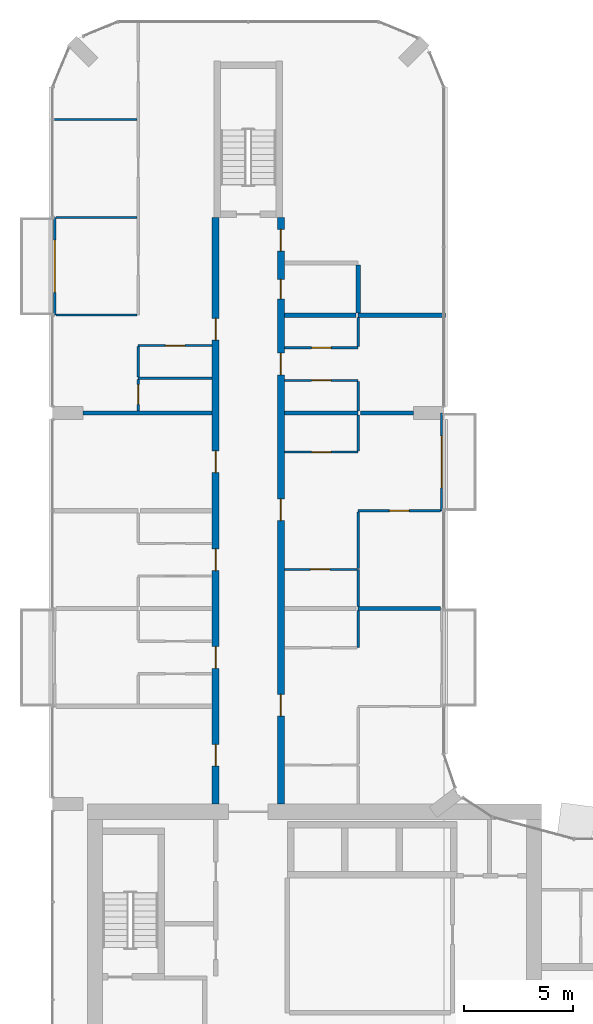
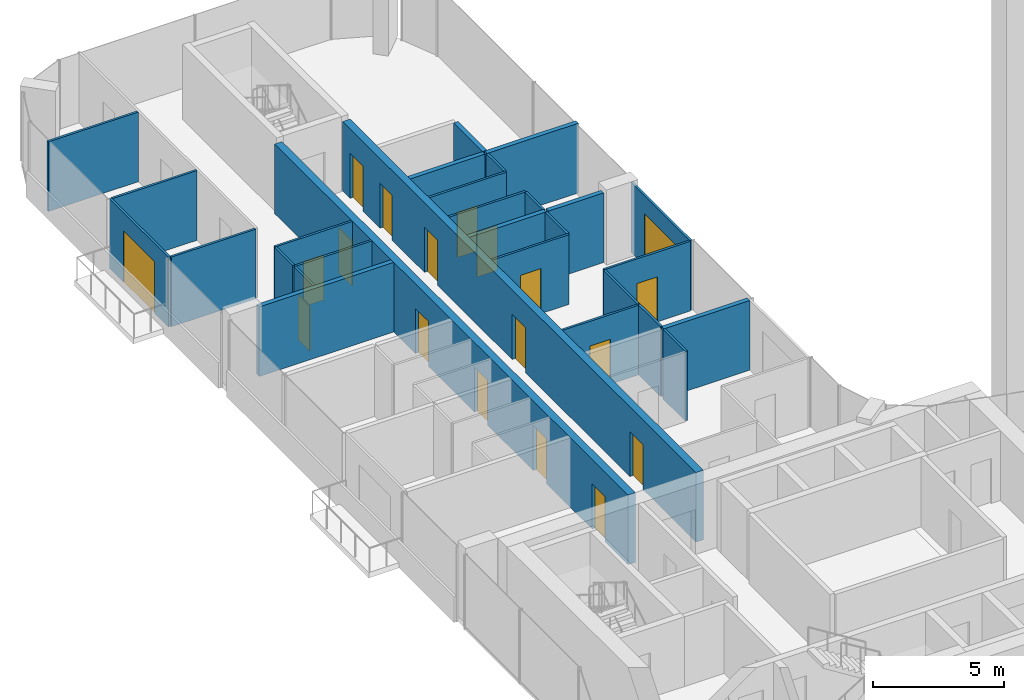
# One storey, part 16 of 27: 29 walls, 19 doors, 19 openings.
"""IFC4 building model written with IfcOpenShell, lengths in metres."""

from ifc_helpers import new_model, si_unit, direction, frame, frame_2d, origin, place, context, subcontext, project, spatial, rectangle, extrude, material, layer, layer_set, type_object, element, fill, save


model = new_model("IFC4")

# Units and contexts
model_context = context("Model", 3, precision=1e-05, world=origin(), true_north=direction((0.0, 1.0)))
body_context = subcontext(model_context, "Body", "Model", "MODEL_VIEW")
ifc_project = project(units=[si_unit("LENGTHUNIT", "METRE"), si_unit("AREAUNIT", "SQUARE_METRE"), si_unit("VOLUMEUNIT", "CUBIC_METRE"), si_unit("PLANEANGLEUNIT", "RADIAN"), si_unit("MASSUNIT", "GRAM", prefix="KILO")], contexts=[model_context])

# Site, building, storey
site_placement = place(None, origin())
site = spatial("IfcSite", under=ifc_project, at=site_placement, CompositionType="ELEMENT")
building_placement = place(site_placement, origin())
building = spatial("IfcBuilding", under=site, at=building_placement, Name="Plateau Cross Towers", CompositionType="ELEMENT")
storey_placement = place(building_placement, frame((0.0, 0.0, 78.300048828125)))
storey = spatial("IfcBuildingStorey", under=building, at=storey_placement, Name="L19", CompositionType="ELEMENT", Elevation=78.300048828125)

# Wall, opening, door
ifc_material_1 = material(Name="Aluminium framed glazing", Category="aluminium")
ifc_layer_1 = layer(ifc_material_1, 0.10009765625)
ifc_layer_set_1 = layer_set([ifc_layer_1], Name="Aluminium framed glazing")
wall_type_1 = type_object("IfcWallType", Name="Balcony screen wall 100", PredefinedType="STANDARD", material=ifc_layer_set_1)
wall_1_placement = place(storey_placement, frame((0.10009765625, 40.5, 0.0), z_axis=(0.0, 0.0, 1.0), x_axis=(0.0, 1.0, 0.0)))
wall_1 = element("IfcWall", 1, at=wall_1_placement, inside=storey, type_object=wall_type_1, Name="Balcony screen wall A-BAL-L19-02", PredefinedType="STANDARD", context=body_context, shape_type="SweptSolid", body=[
    extrude(rectangle(XDim=4.5, YDim=0.10009765625, at=frame_2d((2.25, 0.0))), origin(), (0.0, 0.0, 1.0), 3.25),
])
opening_1_placement = place(wall_1_placement, frame((1.050048828125, 0.0, 0.0)))
opening_1 = element("IfcOpeningElement", 2, at=opening_1_placement, cuts=wall_1, Name="Opening D-B24", PredefinedType="OPENING", context=body_context, shape_type="SweptSolid", body=[
    extrude(rectangle(XDim=2.39990234375, YDim=2.39990234375, at=frame_2d((1.199951171875, 1.199951171875))), frame((0.0, 0.06005859375, 0.0), z_axis=(0.0, -1.0, 0.0), x_axis=(1.0, 0.0, 0.0)), (0.0, 0.0, 1.0), 0.1201171875),
])
ifc_material_2 = material(Name="Aluminium frame, double glazing", Category="aluminium")
door_type_1 = type_object("IfcDoorType", Name="Balcony sliding door 2400", OperationType="NOTDEFINED", PredefinedType="DOOR", material=ifc_material_2)
door_1_placement = place(opening_1_placement, origin())
door_1 = element("IfcDoor", 3, at=door_1_placement, inside=storey, type_object=door_type_1, Name="Balcony door A-BAL-L19-02", OperationType="SINGLE_SWING_LEFT", OverallHeight=2.39990234375, OverallWidth=2.39990234375, PredefinedType="DOOR", context=body_context, shape_type="SweptSolid", body=[
    extrude(rectangle(XDim=2.39990234375, YDim=2.39990234375, at=frame_2d((1.199951171875, 1.199951171875))), frame((0.0, 0.02490234375, 0.0), z_axis=(0.0, -1.0, 0.0), x_axis=(1.0, 0.0, 0.0)), (0.0, 0.0, 1.0), 0.050048828125),
])
fill(opening_1, door_1)

wall_2_placement = place(storey_placement, frame((17.89990234375, 36.0, 0.0), z_axis=(0.0, 0.0, 1.0), x_axis=(0.0, -1.0, 0.0)))
wall_2 = element("IfcWall", 4, at=wall_2_placement, inside=storey, type_object=wall_type_1, Name="Balcony screen wall A-BAL-L19-04", PredefinedType="STANDARD", context=body_context, shape_type="SweptSolid", body=[
    extrude(rectangle(XDim=4.5, YDim=0.10009765625, at=frame_2d((2.25, 0.0))), origin(), (0.0, 0.0, 1.0), 3.25),
])
opening_2_placement = place(wall_2_placement, frame((1.050048828125, 0.0, 0.0)))
opening_2 = element("IfcOpeningElement", 5, at=opening_2_placement, cuts=wall_2, Name="Opening D-B24", PredefinedType="OPENING", context=body_context, shape_type="SweptSolid", body=[
    extrude(rectangle(XDim=2.39990234375, YDim=2.39990234375, at=frame_2d((1.199951171875, 1.199951171875))), frame((0.0, 0.06005859375, 0.0), z_axis=(0.0, -1.0, 0.0), x_axis=(1.0, 0.0, 0.0)), (0.0, 0.0, 1.0), 0.1201171875),
])
door_2_placement = place(opening_2_placement, origin())
door_2 = element("IfcDoor", 6, at=door_2_placement, inside=storey, type_object=door_type_1, Name="Balcony door A-BAL-L19-04", OperationType="SINGLE_SWING_LEFT", OverallHeight=2.39990234375, OverallWidth=2.39990234375, PredefinedType="DOOR", context=body_context, shape_type="SweptSolid", body=[
    extrude(rectangle(XDim=2.39990234375, YDim=2.39990234375, at=frame_2d((1.199951171875, 1.199951171875))), frame((0.0, 0.02490234375, 0.0), z_axis=(0.0, -1.0, 0.0), x_axis=(1.0, 0.0, 0.0)), (0.0, 0.0, 1.0), 0.050048828125),
])
fill(opening_2, door_2)

# Wall, openings, doors
ifc_material_3 = material(Name="Concrete C60/75", Category="concrete")
ifc_layer_2 = layer(ifc_material_3, 0.324951171875)
ifc_layer_set_2 = layer_set([ifc_layer_2], Name="Concrete C60/75")
wall_type_2 = type_object("IfcWallType", Name="Corridor wall 325", PredefinedType="SHEAR", material=ifc_layer_set_2)
wall_3_placement = place(storey_placement, frame((7.5, 18.0, 0.0), z_axis=(0.0, 0.0, 1.0), x_axis=(0.0, 1.0, 0.0)))
wall_3 = element("IfcWall", 7, at=wall_3_placement, inside=storey, type_object=wall_type_2, Name="A-cw-W1@L19", PredefinedType="SHEAR", context=body_context, shape_type="SweptSolid", body=[
    extrude(rectangle(XDim=27.0, YDim=0.324951171875, at=frame_2d((13.5, 0.0))), origin(), (0.0, 0.0, 1.0), 3.25),
])
opening_3_placement = place(wall_3_placement, frame((1.75, 0.0, 0.0)))
opening_3 = element("IfcOpeningElement", 8, at=opening_3_placement, cuts=wall_3, Name="Opening 19-08", PredefinedType="OPENING", context=body_context, shape_type="SweptSolid", body=[
    extrude(rectangle(XDim=1.0, YDim=2.10009765625, at=frame_2d((0.5, 1.050048828125))), frame((0.0, 0.17236328125, 0.0), z_axis=(0.0, -1.0, 0.0), x_axis=(1.0, 0.0, 0.0)), (0.0, 0.0, 1.0), 0.344970703125),
])
opening_4_placement = place(wall_3_placement, frame((6.25, 0.0, 0.0)))
opening_4 = element("IfcOpeningElement", 9, at=opening_4_placement, cuts=wall_3, Name="Opening 19-09", PredefinedType="OPENING", context=body_context, shape_type="SweptSolid", body=[
    extrude(rectangle(XDim=1.0, YDim=2.10009765625, at=frame_2d((0.5, 1.050048828125))), frame((0.0, 0.17236328125, 0.0), z_axis=(0.0, -1.0, 0.0), x_axis=(1.0, 0.0, 0.0)), (0.0, 0.0, 1.0), 0.344970703125),
])
opening_5_placement = place(wall_3_placement, frame((10.75, 0.0, 0.0)))
opening_5 = element("IfcOpeningElement", 10, at=opening_5_placement, cuts=wall_3, Name="Opening 19-10", PredefinedType="OPENING", context=body_context, shape_type="SweptSolid", body=[
    extrude(rectangle(XDim=1.0, YDim=2.10009765625, at=frame_2d((0.5, 1.050048828125))), frame((0.0, 0.17236328125, 0.0), z_axis=(0.0, -1.0, 0.0), x_axis=(1.0, 0.0, 0.0)), (0.0, 0.0, 1.0), 0.344970703125),
])
opening_6_placement = place(wall_3_placement, frame((15.25, 0.0, 0.0)))
opening_6 = element("IfcOpeningElement", 11, at=opening_6_placement, cuts=wall_3, Name="Opening 19-11", PredefinedType="OPENING", context=body_context, shape_type="SweptSolid", body=[
    extrude(rectangle(XDim=1.0, YDim=2.10009765625, at=frame_2d((0.5, 1.050048828125))), frame((0.0, 0.17236328125, 0.0), z_axis=(0.0, -1.0, 0.0), x_axis=(1.0, 0.0, 0.0)), (0.0, 0.0, 1.0), 0.344970703125),
])
opening_7_placement = place(wall_3_placement, frame((21.35009765625, 0.0, 0.0)))
opening_7 = element("IfcOpeningElement", 12, at=opening_7_placement, cuts=wall_3, Name="Opening 19-12", PredefinedType="OPENING", context=body_context, shape_type="SweptSolid", body=[
    extrude(rectangle(XDim=1.0, YDim=2.10009765625, at=frame_2d((0.5, 1.050048828125))), frame((0.0, 0.17236328125, 0.0), z_axis=(0.0, -1.0, 0.0), x_axis=(1.0, 0.0, 0.0)), (0.0, 0.0, 1.0), 0.344970703125),
])
ifc_material_4 = material(Name="Timber, fire-resisting leaf", Category="wood")
door_type_2 = type_object("IfcDoorType", Name="Flat entrance door 1000", OperationType="NOTDEFINED", PredefinedType="DOOR", material=ifc_material_4)
door_3_placement = place(opening_3_placement, origin())
door_3 = element("IfcDoor", 13, at=door_3_placement, inside=storey, type_object=door_type_2, Name="Door 19-08", OperationType="SINGLE_SWING_LEFT", OverallHeight=2.10009765625, OverallWidth=1.0, PredefinedType="DOOR", context=body_context, shape_type="SweptSolid", body=[
    extrude(rectangle(XDim=1.0, YDim=2.10009765625, at=frame_2d((0.5, 1.050048828125))), frame((0.0, 0.02490234375, 0.0), z_axis=(0.0, -1.0, 0.0), x_axis=(1.0, 0.0, 0.0)), (0.0, 0.0, 1.0), 0.050048828125),
])
fill(opening_3, door_3)
door_4_placement = place(opening_4_placement, origin())
door_4 = element("IfcDoor", 14, at=door_4_placement, inside=storey, type_object=door_type_2, Name="Door 19-09", OperationType="SINGLE_SWING_LEFT", OverallHeight=2.10009765625, OverallWidth=1.0, PredefinedType="DOOR", context=body_context, shape_type="SweptSolid", body=[
    extrude(rectangle(XDim=1.0, YDim=2.10009765625, at=frame_2d((0.5, 1.050048828125))), frame((0.0, 0.02490234375, 0.0), z_axis=(0.0, -1.0, 0.0), x_axis=(1.0, 0.0, 0.0)), (0.0, 0.0, 1.0), 0.050048828125),
])
fill(opening_4, door_4)
door_5_placement = place(opening_5_placement, origin())
door_5 = element("IfcDoor", 15, at=door_5_placement, inside=storey, type_object=door_type_2, Name="Door 19-10", OperationType="SINGLE_SWING_LEFT", OverallHeight=2.10009765625, OverallWidth=1.0, PredefinedType="DOOR", context=body_context, shape_type="SweptSolid", body=[
    extrude(rectangle(XDim=1.0, YDim=2.10009765625, at=frame_2d((0.5, 1.050048828125))), frame((0.0, 0.02490234375, 0.0), z_axis=(0.0, -1.0, 0.0), x_axis=(1.0, 0.0, 0.0)), (0.0, 0.0, 1.0), 0.050048828125),
])
fill(opening_5, door_5)
door_6_placement = place(opening_6_placement, origin())
door_6 = element("IfcDoor", 16, at=door_6_placement, inside=storey, type_object=door_type_2, Name="Door 19-11", OperationType="SINGLE_SWING_RIGHT", OverallHeight=2.10009765625, OverallWidth=1.0, PredefinedType="DOOR", context=body_context, shape_type="SweptSolid", body=[
    extrude(rectangle(XDim=1.0, YDim=2.10009765625, at=frame_2d((0.5, 1.050048828125))), frame((0.0, 0.02490234375, 0.0), z_axis=(0.0, -1.0, 0.0), x_axis=(1.0, 0.0, 0.0)), (0.0, 0.0, 1.0), 0.050048828125),
])
fill(opening_6, door_6)
door_7_placement = place(opening_7_placement, origin())
door_7 = element("IfcDoor", 17, at=door_7_placement, inside=storey, type_object=door_type_2, Name="Door 19-12", OperationType="SINGLE_SWING_RIGHT", OverallHeight=2.10009765625, OverallWidth=1.0, PredefinedType="DOOR", context=body_context, shape_type="SweptSolid", body=[
    extrude(rectangle(XDim=1.0, YDim=2.10009765625, at=frame_2d((0.5, 1.050048828125))), frame((0.0, 0.02490234375, 0.0), z_axis=(0.0, -1.0, 0.0), x_axis=(1.0, 0.0, 0.0)), (0.0, 0.0, 1.0), 0.050048828125),
])
fill(opening_7, door_7)

wall_4_placement = place(storey_placement, frame((10.5, 18.0, 0.0), z_axis=(0.0, 0.0, 1.0), x_axis=(0.0, 1.0, 0.0)))
wall_4 = element("IfcWall", 18, at=wall_4_placement, inside=storey, type_object=wall_type_2, Name="A-cw-W2@L19", PredefinedType="SHEAR", context=body_context, shape_type="SweptSolid", body=[
    extrude(rectangle(XDim=27.0, YDim=0.324951171875, at=frame_2d((13.5, 0.0))), origin(), (0.0, 0.0, 1.0), 3.25),
])
opening_8_placement = place(wall_4_placement, frame((4.050048828125, 0.0, 0.0)))
opening_8 = element("IfcOpeningElement", 19, at=opening_8_placement, cuts=wall_4, Name="Opening 19-13", PredefinedType="OPENING", context=body_context, shape_type="SweptSolid", body=[
    extrude(rectangle(XDim=1.0, YDim=2.10009765625, at=frame_2d((0.5, 1.050048828125))), frame((0.0, 0.17236328125, 0.0), z_axis=(0.0, -1.0, 0.0), x_axis=(1.0, 0.0, 0.0)), (0.0, 0.0, 1.0), 0.344970703125),
])
opening_9_placement = place(wall_4_placement, frame((13.050048828125, 0.0, 0.0)))
opening_9 = element("IfcOpeningElement", 20, at=opening_9_placement, cuts=wall_4, Name="Opening 19-14", PredefinedType="OPENING", context=body_context, shape_type="SweptSolid", body=[
    extrude(rectangle(XDim=1.0, YDim=2.10009765625, at=frame_2d((0.5, 1.050048828125))), frame((0.0, 0.17236328125, 0.0), z_axis=(0.0, -1.0, 0.0), x_axis=(1.0, 0.0, 0.0)), (0.0, 0.0, 1.0), 0.344970703125),
])
opening_10_placement = place(wall_4_placement, frame((19.75, 0.0, 0.0)))
opening_10 = element("IfcOpeningElement", 21, at=opening_10_placement, cuts=wall_4, Name="Opening 19-15", PredefinedType="OPENING", context=body_context, shape_type="SweptSolid", body=[
    extrude(rectangle(XDim=1.0, YDim=2.10009765625, at=frame_2d((0.5, 1.050048828125))), frame((0.0, 0.17236328125, 0.0), z_axis=(0.0, -1.0, 0.0), x_axis=(1.0, 0.0, 0.0)), (0.0, 0.0, 1.0), 0.344970703125),
])
opening_11_placement = place(wall_4_placement, frame((23.25, 0.0, 0.0)))
opening_11 = element("IfcOpeningElement", 22, at=opening_11_placement, cuts=wall_4, Name="Opening 19-16", PredefinedType="OPENING", context=body_context, shape_type="SweptSolid", body=[
    extrude(rectangle(XDim=0.89990234375, YDim=2.10009765625, at=frame_2d((0.449951171875, 1.050048828125))), frame((0.0, 0.17236328125, 0.0), z_axis=(0.0, -1.0, 0.0), x_axis=(1.0, 0.0, 0.0)), (0.0, 0.0, 1.0), 0.344970703125),
])
opening_12_placement = place(wall_4_placement, frame((25.449951171875, 0.0, 0.0)))
opening_12 = element("IfcOpeningElement", 23, at=opening_12_placement, cuts=wall_4, Name="Opening 19-17", PredefinedType="OPENING", context=body_context, shape_type="SweptSolid", body=[
    extrude(rectangle(XDim=1.0, YDim=2.10009765625, at=frame_2d((0.5, 1.050048828125))), frame((0.0, 0.17236328125, 0.0), z_axis=(0.0, -1.0, 0.0), x_axis=(1.0, 0.0, 0.0)), (0.0, 0.0, 1.0), 0.344970703125),
])
door_8_placement = place(opening_8_placement, origin())
door_8 = element("IfcDoor", 24, at=door_8_placement, inside=storey, type_object=door_type_2, Name="Door 19-13", OperationType="SINGLE_SWING_LEFT", OverallHeight=2.10009765625, OverallWidth=1.0, PredefinedType="DOOR", context=body_context, shape_type="SweptSolid", body=[
    extrude(rectangle(XDim=1.0, YDim=2.10009765625, at=frame_2d((0.5, 1.050048828125))), frame((0.0, 0.02490234375, 0.0), z_axis=(0.0, -1.0, 0.0), x_axis=(1.0, 0.0, 0.0)), (0.0, 0.0, 1.0), 0.050048828125),
])
fill(opening_8, door_8)
door_9_placement = place(opening_9_placement, origin())
door_9 = element("IfcDoor", 25, at=door_9_placement, inside=storey, type_object=door_type_2, Name="Door 19-14", OperationType="SINGLE_SWING_RIGHT", OverallHeight=2.10009765625, OverallWidth=1.0, PredefinedType="DOOR", context=body_context, shape_type="SweptSolid", body=[
    extrude(rectangle(XDim=1.0, YDim=2.10009765625, at=frame_2d((0.5, 1.050048828125))), frame((0.0, 0.02490234375, 0.0), z_axis=(0.0, -1.0, 0.0), x_axis=(1.0, 0.0, 0.0)), (0.0, 0.0, 1.0), 0.050048828125),
])
fill(opening_9, door_9)
door_10_placement = place(opening_10_placement, origin())
door_10 = element("IfcDoor", 26, at=door_10_placement, inside=storey, type_object=door_type_2, Name="Door 19-15", OperationType="SINGLE_SWING_RIGHT", OverallHeight=2.10009765625, OverallWidth=1.0, PredefinedType="DOOR", context=body_context, shape_type="SweptSolid", body=[
    extrude(rectangle(XDim=1.0, YDim=2.10009765625, at=frame_2d((0.5, 1.050048828125))), frame((0.0, 0.02490234375, 0.0), z_axis=(0.0, -1.0, 0.0), x_axis=(1.0, 0.0, 0.0)), (0.0, 0.0, 1.0), 0.050048828125),
])
fill(opening_10, door_10)
door_11_placement = place(opening_12_placement, origin())
door_11 = element("IfcDoor", 27, at=door_11_placement, inside=storey, type_object=door_type_2, Name="Door 19-17", OperationType="SINGLE_SWING_RIGHT", OverallHeight=2.10009765625, OverallWidth=1.0, PredefinedType="DOOR", context=body_context, shape_type="SweptSolid", body=[
    extrude(rectangle(XDim=1.0, YDim=2.10009765625, at=frame_2d((0.5, 1.050048828125))), frame((0.0, 0.02490234375, 0.0), z_axis=(0.0, -1.0, 0.0), x_axis=(1.0, 0.0, 0.0)), (0.0, 0.0, 1.0), 0.050048828125),
])
fill(opening_12, door_11)
door_type_3 = type_object("IfcDoorType", Name="Flat floor service door 900", OperationType="NOTDEFINED", PredefinedType="DOOR", material=ifc_material_4)
door_12_placement = place(opening_11_placement, origin())
door_12 = element("IfcDoor", 28, at=door_12_placement, inside=storey, type_object=door_type_3, Name="Door 19-16", OperationType="SINGLE_SWING_RIGHT", OverallHeight=2.10009765625, OverallWidth=0.89990234375, PredefinedType="DOOR", context=body_context, shape_type="SweptSolid", body=[
    extrude(rectangle(XDim=0.89990234375, YDim=2.10009765625, at=frame_2d((0.449951171875, 1.050048828125))), frame((0.0, 0.02490234375, 0.0), z_axis=(0.0, -1.0, 0.0), x_axis=(1.0, 0.0, 0.0)), (0.0, 0.0, 1.0), 0.050048828125),
])
fill(opening_11, door_12)

# Wall, opening, door
ifc_material_5 = material(Name="Gypsum board on steel studs", Category="steel")
ifc_layer_3 = layer(ifc_material_5, 0.10009765625)
ifc_layer_set_3 = layer_set([ifc_layer_3], Name="Gypsum board on steel studs")
wall_type_3 = type_object("IfcWallType", Name="Flat partition 100", PredefinedType="PARTITIONING", material=ifc_layer_set_3)
wall_5_placement = place(storey_placement, frame((14.012451171875, 28.800048828125, 0.0), z_axis=(0.0, 0.0, 1.0), x_axis=(-1.0, 0.0, 0.0)))
wall_5 = element("IfcWall", 29, at=wall_5_placement, inside=storey, type_object=wall_type_3, Name="Partition wall", PredefinedType="PARTITIONING", context=body_context, shape_type="SweptSolid", body=[
    extrude(rectangle(XDim=3.349853515625, YDim=0.10009765625, at=frame_2d((1.6748046875, 0.0))), origin(), (0.0, 0.0, 1.0), 3.25),
])
opening_13_placement = place(wall_5_placement, frame((1.25, 0.0, 0.0)))
opening_13 = element("IfcOpeningElement", 30, at=opening_13_placement, cuts=wall_5, Name="Opening 19-46", PredefinedType="OPENING", context=body_context, shape_type="SweptSolid", body=[
    extrude(rectangle(XDim=0.89990234375, YDim=2.10009765625, at=frame_2d((0.449951171875, 1.050048828125))), frame((0.0, 0.06005859375, 0.0), z_axis=(0.0, -1.0, 0.0), x_axis=(1.0, 0.0, 0.0)), (0.0, 0.0, 1.0), 0.1201171875),
])
ifc_material_6 = material(Name="Timber leaf", Category="wood")
door_type_4 = type_object("IfcDoorType", Name="Flat room door 900", OperationType="NOTDEFINED", PredefinedType="DOOR", material=ifc_material_6)
door_13_placement = place(opening_13_placement, origin())
door_13 = element("IfcDoor", 31, at=door_13_placement, inside=storey, type_object=door_type_4, Name="Door 19-46", OperationType="SINGLE_SWING_RIGHT", OverallHeight=2.10009765625, OverallWidth=0.89990234375, PredefinedType="DOOR", context=body_context, shape_type="SweptSolid", body=[
    extrude(rectangle(XDim=0.89990234375, YDim=2.10009765625, at=frame_2d((0.449951171875, 1.050048828125))), frame((0.0, 0.02490234375, 0.0), z_axis=(0.0, -1.0, 0.0), x_axis=(1.0, 0.0, 0.0)), (0.0, 0.0, 1.0), 0.050048828125),
])
fill(opening_13, door_13)

wall_6_placement = place(storey_placement, frame((17.85009765625, 31.5, 0.0), z_axis=(0.0, 0.0, 1.0), x_axis=(-1.0, 0.0, 0.0)))
wall_6 = element("IfcWall", 32, at=wall_6_placement, inside=storey, type_object=wall_type_3, Name="Partition wall", PredefinedType="PARTITIONING", context=body_context, shape_type="SweptSolid", body=[
    extrude(rectangle(XDim=3.78759765625, YDim=0.10009765625, at=frame_2d((1.893798828125, 0.0))), origin(), (0.0, 0.0, 1.0), 3.25),
])
opening_14_placement = place(wall_6_placement, frame((1.449951171875, 0.0, 0.0)))
opening_14 = element("IfcOpeningElement", 33, at=opening_14_placement, cuts=wall_6, Name="Opening 19-48", PredefinedType="OPENING", context=body_context, shape_type="SweptSolid", body=[
    extrude(rectangle(XDim=0.89990234375, YDim=2.10009765625, at=frame_2d((0.449951171875, 1.050048828125))), frame((0.0, 0.06005859375, 0.0), z_axis=(0.0, -1.0, 0.0), x_axis=(1.0, 0.0, 0.0)), (0.0, 0.0, 1.0), 0.1201171875),
])
door_14_placement = place(opening_14_placement, origin())
door_14 = element("IfcDoor", 34, at=door_14_placement, inside=storey, type_object=door_type_4, Name="Door 19-48", OperationType="SINGLE_SWING_RIGHT", OverallHeight=2.10009765625, OverallWidth=0.89990234375, PredefinedType="DOOR", context=body_context, shape_type="SweptSolid", body=[
    extrude(rectangle(XDim=0.89990234375, YDim=2.10009765625, at=frame_2d((0.449951171875, 1.050048828125))), frame((0.0, 0.02490234375, 0.0), z_axis=(0.0, -1.0, 0.0), x_axis=(1.0, 0.0, 0.0)), (0.0, 0.0, 1.0), 0.050048828125),
])
fill(opening_14, door_14)

wall_7_placement = place(storey_placement, frame((10.66259765625, 34.199951171875, 0.0), z_axis=(0.0, 0.0, 1.0), x_axis=(1.0, 0.0, 0.0)))
wall_7 = element("IfcWall", 35, at=wall_7_placement, inside=storey, type_object=wall_type_3, Name="Partition wall", PredefinedType="PARTITIONING", context=body_context, shape_type="SweptSolid", body=[
    extrude(rectangle(XDim=3.39990234375, YDim=0.10009765625, at=frame_2d((1.699951171875, 0.0))), origin(), (0.0, 0.0, 1.0), 3.25),
])
opening_15_placement = place(wall_7_placement, frame((1.25, 0.0, 0.0)))
opening_15 = element("IfcOpeningElement", 36, at=opening_15_placement, cuts=wall_7, Name="Opening 19-47", PredefinedType="OPENING", context=body_context, shape_type="SweptSolid", body=[
    extrude(rectangle(XDim=0.89990234375, YDim=2.10009765625, at=frame_2d((0.449951171875, 1.050048828125))), frame((0.0, 0.06005859375, 0.0), z_axis=(0.0, -1.0, 0.0), x_axis=(1.0, 0.0, 0.0)), (0.0, 0.0, 1.0), 0.1201171875),
])
door_15_placement = place(opening_15_placement, origin())
door_15 = element("IfcDoor", 37, at=door_15_placement, inside=storey, type_object=door_type_4, Name="Door 19-47", OperationType="SINGLE_SWING_LEFT", OverallHeight=2.10009765625, OverallWidth=0.89990234375, PredefinedType="DOOR", context=body_context, shape_type="SweptSolid", body=[
    extrude(rectangle(XDim=0.89990234375, YDim=2.10009765625, at=frame_2d((0.449951171875, 1.050048828125))), frame((0.0, 0.02490234375, 0.0), z_axis=(0.0, -1.0, 0.0), x_axis=(1.0, 0.0, 0.0)), (0.0, 0.0, 1.0), 0.050048828125),
])
fill(opening_15, door_15)

wall_8_placement = place(storey_placement, frame((14.0625, 37.5, 0.0), z_axis=(0.0, 0.0, 1.0), x_axis=(-1.0, 0.0, 0.0)))
wall_8 = element("IfcWall", 38, at=wall_8_placement, inside=storey, type_object=wall_type_3, Name="Partition wall", PredefinedType="PARTITIONING", context=body_context, shape_type="SweptSolid", body=[
    extrude(rectangle(XDim=3.39990234375, YDim=0.10009765625, at=frame_2d((1.699951171875, 0.0))), origin(), (0.0, 0.0, 1.0), 3.25),
])
opening_16_placement = place(wall_8_placement, frame((1.25, 0.0, 0.0)))
opening_16 = element("IfcOpeningElement", 39, at=opening_16_placement, cuts=wall_8, Name="Opening 19-49", PredefinedType="OPENING", context=body_context, shape_type="SweptSolid", body=[
    extrude(rectangle(XDim=0.89990234375, YDim=2.10009765625, at=frame_2d((0.449951171875, 1.050048828125))), frame((0.0, 0.06005859375, 0.0), z_axis=(0.0, -1.0, 0.0), x_axis=(1.0, 0.0, 0.0)), (0.0, 0.0, 1.0), 0.1201171875),
])
door_16_placement = place(opening_16_placement, origin())
door_16 = element("IfcDoor", 40, at=door_16_placement, inside=storey, type_object=door_type_4, Name="Door 19-49", OperationType="SINGLE_SWING_LEFT", OverallHeight=2.10009765625, OverallWidth=0.89990234375, PredefinedType="DOOR", context=body_context, shape_type="SweptSolid", body=[
    extrude(rectangle(XDim=0.89990234375, YDim=2.10009765625, at=frame_2d((0.449951171875, 1.050048828125))), frame((0.0, 0.02490234375, 0.0), z_axis=(0.0, -1.0, 0.0), x_axis=(1.0, 0.0, 0.0)), (0.0, 0.0, 1.0), 0.050048828125),
])
fill(opening_16, door_16)

# Wall
wall_9_placement = place(storey_placement, frame((7.33740234375, 37.60009765625, 0.0), z_axis=(0.0, 0.0, 1.0), x_axis=(-1.0, 0.0, 0.0)))
element("IfcWall", 41, at=wall_9_placement, inside=storey, type_object=wall_type_3, Name="Partition wall", PredefinedType="PARTITIONING", context=body_context, shape_type="SweptSolid", body=[
    extrude(rectangle(XDim=3.39990234375, YDim=0.10009765625, at=frame_2d((1.699951171875, 0.0))), origin(), (0.0, 0.0, 1.0), 3.25),
])

# Wall, opening, door
wall_10_placement = place(storey_placement, frame((10.66259765625, 39.0, 0.0), z_axis=(0.0, 0.0, 1.0), x_axis=(1.0, 0.0, 0.0)))
wall_10 = element("IfcWall", 42, at=wall_10_placement, inside=storey, type_object=wall_type_3, Name="Partition wall", PredefinedType="PARTITIONING", context=body_context, shape_type="SweptSolid", body=[
    extrude(rectangle(XDim=3.39990234375, YDim=0.10009765625, at=frame_2d((1.699951171875, 0.0))), origin(), (0.0, 0.0, 1.0), 3.25),
])
opening_17_placement = place(wall_10_placement, frame((1.25, 0.0, 0.0)))
opening_17 = element("IfcOpeningElement", 43, at=opening_17_placement, cuts=wall_10, Name="Opening 19-50", PredefinedType="OPENING", context=body_context, shape_type="SweptSolid", body=[
    extrude(rectangle(XDim=0.89990234375, YDim=2.10009765625, at=frame_2d((0.449951171875, 1.050048828125))), frame((0.0, 0.06005859375, 0.0), z_axis=(0.0, -1.0, 0.0), x_axis=(1.0, 0.0, 0.0)), (0.0, 0.0, 1.0), 0.1201171875),
])
door_17_placement = place(opening_17_placement, origin())
door_17 = element("IfcDoor", 44, at=door_17_placement, inside=storey, type_object=door_type_4, Name="Door 19-50", OperationType="SINGLE_SWING_LEFT", OverallHeight=2.10009765625, OverallWidth=0.89990234375, PredefinedType="DOOR", context=body_context, shape_type="SweptSolid", body=[
    extrude(rectangle(XDim=0.89990234375, YDim=2.10009765625, at=frame_2d((0.449951171875, 1.050048828125))), frame((0.0, 0.02490234375, 0.0), z_axis=(0.0, -1.0, 0.0), x_axis=(1.0, 0.0, 0.0)), (0.0, 0.0, 1.0), 0.050048828125),
])
fill(opening_17, door_17)

wall_11_placement = place(storey_placement, frame((7.33740234375, 39.10009765625, 0.0), z_axis=(0.0, 0.0, 1.0), x_axis=(-1.0, 0.0, 0.0)))
wall_11 = element("IfcWall", 45, at=wall_11_placement, inside=storey, type_object=wall_type_3, Name="Partition wall", PredefinedType="PARTITIONING", context=body_context, shape_type="SweptSolid", body=[
    extrude(rectangle(XDim=3.39990234375, YDim=0.10009765625, at=frame_2d((1.699951171875, 0.0))), origin(), (0.0, 0.0, 1.0), 3.25),
])
opening_18_placement = place(wall_11_placement, frame((1.25, 0.0, 0.0)))
opening_18 = element("IfcOpeningElement", 46, at=opening_18_placement, cuts=wall_11, Name="Opening 19-39", PredefinedType="OPENING", context=body_context, shape_type="SweptSolid", body=[
    extrude(rectangle(XDim=0.89990234375, YDim=2.10009765625, at=frame_2d((0.449951171875, 1.050048828125))), frame((0.0, 0.06005859375, 0.0), z_axis=(0.0, -1.0, 0.0), x_axis=(1.0, 0.0, 0.0)), (0.0, 0.0, 1.0), 0.1201171875),
])
door_18_placement = place(opening_18_placement, origin())
door_18 = element("IfcDoor", 47, at=door_18_placement, inside=storey, type_object=door_type_4, Name="Door 19-39", OperationType="SINGLE_SWING_LEFT", OverallHeight=2.10009765625, OverallWidth=0.89990234375, PredefinedType="DOOR", context=body_context, shape_type="SweptSolid", body=[
    extrude(rectangle(XDim=0.89990234375, YDim=2.10009765625, at=frame_2d((0.449951171875, 1.050048828125))), frame((0.0, 0.02490234375, 0.0), z_axis=(0.0, -1.0, 0.0), x_axis=(1.0, 0.0, 0.0)), (0.0, 0.0, 1.0), 0.050048828125),
])
fill(opening_18, door_18)

# Walls
for number, where, z_axis, x_axis, name in (
    (48, (0.14990234375, 40.5, 0.0), (0.0, 0.0, 1.0), (1.0, 0.0, 0.0), "Partition wall"),
    (49, (3.887451171875, 45.0, 0.0), (0.0, 0.0, 1.0), (-1.0, 0.0, 0.0), "Partition wall"),
):
    element("IfcWall", number, at=place(storey_placement, frame(where, z_axis=z_axis, x_axis=x_axis)), inside=storey, type_object=wall_type_3, Name=name, PredefinedType="PARTITIONING", context=body_context, shape_type="SweptSolid", body=[
        extrude(rectangle(XDim=3.737548828125, YDim=0.10009765625, at=frame_2d((1.86865234375, 0.0))), origin(), (0.0, 0.0, 1.0), 3.25),
    ])
wall_12_placement = place(storey_placement, frame((3.887451171875, 49.5, 0.0), z_axis=(0.0, 0.0, 1.0), x_axis=(-1.0, 0.0, 0.0)))
element("IfcWall", 50, at=wall_12_placement, inside=storey, type_object=wall_type_3, Name="Partition wall", PredefinedType="PARTITIONING", context=body_context, shape_type="SweptSolid", body=[
    extrude(rectangle(XDim=3.967529296875, YDim=0.10009765625, at=frame_2d((1.98388671875, 0.0))), origin(), (0.0, 0.0, 1.0), 3.25),
])

# Wall, opening, door
wall_13_placement = place(storey_placement, frame((3.9375, 37.550048828125, 0.0), z_axis=(0.0, 0.0, 1.0), x_axis=(0.0, -1.0, 0.0)))
wall_13 = element("IfcWall", 51, at=wall_13_placement, inside=storey, type_object=wall_type_3, Name="Partition wall", PredefinedType="PARTITIONING", context=body_context, shape_type="SweptSolid", body=[
    extrude(rectangle(XDim=1.449951171875, YDim=0.10009765625, at=frame_2d((0.72509765625, 0.0))), origin(), (0.0, 0.0, 1.0), 3.25),
])
opening_19_placement = place(wall_13_placement, frame((0.25, 0.0, 0.0)))
opening_19 = element("IfcOpeningElement", 52, at=opening_19_placement, cuts=wall_13, Name="Opening 19-38", PredefinedType="OPENING", context=body_context, shape_type="SweptSolid", body=[
    extrude(rectangle(XDim=0.89990234375, YDim=2.10009765625, at=frame_2d((0.449951171875, 1.050048828125))), frame((0.0, 0.06005859375, 0.0), z_axis=(0.0, -1.0, 0.0), x_axis=(1.0, 0.0, 0.0)), (0.0, 0.0, 1.0), 0.1201171875),
])
door_19_placement = place(opening_19_placement, origin())
door_19 = element("IfcDoor", 53, at=door_19_placement, inside=storey, type_object=door_type_4, Name="Door 19-38", OperationType="SINGLE_SWING_LEFT", OverallHeight=2.10009765625, OverallWidth=0.89990234375, PredefinedType="DOOR", context=body_context, shape_type="SweptSolid", body=[
    extrude(rectangle(XDim=0.89990234375, YDim=2.10009765625, at=frame_2d((0.449951171875, 1.050048828125))), frame((0.0, 0.02490234375, 0.0), z_axis=(0.0, -1.0, 0.0), x_axis=(1.0, 0.0, 0.0)), (0.0, 0.0, 1.0), 0.050048828125),
])
fill(opening_19, door_19)

# Walls
wall_14_placement = place(storey_placement, frame((3.9375, 39.050048828125, 0.0), z_axis=(0.0, 0.0, 1.0), x_axis=(0.0, -1.0, 0.0)))
element("IfcWall", 54, at=wall_14_placement, inside=storey, type_object=wall_type_3, Name="Partition wall", PredefinedType="PARTITIONING", context=body_context, shape_type="SweptSolid", body=[
    extrude(rectangle(XDim=1.400146484375, YDim=0.10009765625, at=frame_2d((0.7001953125, 0.0))), origin(), (0.0, 0.0, 1.0), 3.25),
])
wall_15_placement = place(storey_placement, frame((14.0625, 31.449951171875, 0.0), z_axis=(0.0, 0.0, 1.0), x_axis=(0.0, -1.0, 0.0)))
element("IfcWall", 55, at=wall_15_placement, inside=storey, type_object=wall_type_3, Name="Partition wall", PredefinedType="PARTITIONING", context=body_context, shape_type="SweptSolid", body=[
    extrude(rectangle(XDim=2.599853515625, YDim=0.10009765625, at=frame_2d((1.2998046875, 0.0))), origin(), (0.0, 0.0, 1.0), 3.25),
])
for number, where, z_axis, x_axis, name in (
    (56, (14.0625, 25.199951171875, 0.0), (0.0, 0.0, 1.0), (0.0, 1.0, 0.0), "Partition wall"),
    (57, (14.0625, 27.10009765625, 0.0), (0.0, 0.0, 1.0), (0.0, 1.0, 0.0), "Partition wall"),
):
    element("IfcWall", number, at=place(storey_placement, frame(where, z_axis=z_axis, x_axis=x_axis)), inside=storey, type_object=wall_type_3, Name=name, PredefinedType="PARTITIONING", context=body_context, shape_type="SweptSolid", body=[
        extrude(rectangle(XDim=1.699951171875, YDim=0.10009765625, at=frame_2d((0.85009765625, 0.0))), origin(), (0.0, 0.0, 1.0), 3.25),
    ])
wall_16_placement = place(storey_placement, frame((14.0625, 34.25, 0.0), z_axis=(0.0, 0.0, 1.0), x_axis=(0.0, 1.0, 0.0)))
element("IfcWall", 58, at=wall_16_placement, inside=storey, type_object=wall_type_3, Name="Partition wall", PredefinedType="PARTITIONING", context=body_context, shape_type="SweptSolid", body=[
    extrude(rectangle(XDim=1.64990234375, YDim=0.10009765625, at=frame_2d((0.824951171875, 0.0))), origin(), (0.0, 0.0, 1.0), 3.25),
])
for number, where, z_axis, x_axis, name in (
    (59, (14.0625, 36.10009765625, 0.0), (0.0, 0.0, 1.0), (0.0, 1.0, 0.0), "Partition wall"),
    (60, (14.0625, 39.050048828125, 0.0), (0.0, 0.0, 1.0), (0.0, 1.0, 0.0), "Partition wall"),
):
    element("IfcWall", number, at=place(storey_placement, frame(where, z_axis=z_axis, x_axis=x_axis)), inside=storey, type_object=wall_type_3, Name=name, PredefinedType="PARTITIONING", context=body_context, shape_type="SweptSolid", body=[
        extrude(rectangle(XDim=1.349853515625, YDim=0.10009765625, at=frame_2d((0.6748046875, 0.0))), origin(), (0.0, 0.0, 1.0), 3.25),
    ])
ifc_material_7 = material(Name="Gypsum board on steel studs, two layers each side", Category="steel")
ifc_layer_4 = layer(ifc_material_7, 0.199951171875)
ifc_layer_set_4 = layer_set([ifc_layer_4], Name="Gypsum board on steel studs, two layers each side")
wall_type_4 = type_object("IfcWallType", Name="Flat party wall 200", PredefinedType="PARTITIONING", material=ifc_layer_set_4)
wall_17_placement = place(storey_placement, frame((14.0625, 27.0, 0.0), z_axis=(0.0, 0.0, 1.0), x_axis=(1.0, 0.0, 0.0)))
element("IfcWall", 61, at=wall_17_placement, inside=storey, type_object=wall_type_4, Name="Party wall", PredefinedType="PARTITIONING", context=body_context, shape_type="SweptSolid", body=[
    extrude(rectangle(XDim=3.78759765625, YDim=0.199951171875, at=frame_2d((1.893798828125, 0.0))), origin(), (0.0, 0.0, 1.0), 3.25),
])
wall_18_placement = place(storey_placement, frame((7.33740234375, 36.0, 0.0), z_axis=(0.0, 0.0, 1.0), x_axis=(-1.0, 0.0, 0.0)))
element("IfcWall", 62, at=wall_18_placement, inside=storey, type_object=wall_type_4, Name="Party wall", PredefinedType="PARTITIONING", context=body_context, shape_type="SweptSolid", body=[
    extrude(rectangle(XDim=5.9375, YDim=0.199951171875, at=frame_2d((2.96875, 0.0))), origin(), (0.0, 0.0, 1.0), 3.25),
])
wall_19_placement = place(storey_placement, frame((14.0625, 36.0, 0.0), z_axis=(0.0, 0.0, 1.0), x_axis=(-1.0, 0.0, 0.0)))
element("IfcWall", 63, at=wall_19_placement, inside=storey, type_object=wall_type_4, Name="Party wall", PredefinedType="PARTITIONING", context=body_context, shape_type="SweptSolid", body=[
    extrude(rectangle(XDim=3.39990234375, YDim=0.199951171875, at=frame_2d((1.699951171875, 0.0))), origin(), (0.0, 0.0, 1.0), 3.25),
])
wall_20_placement = place(storey_placement, frame((14.16259765625, 36.0, 0.0), z_axis=(0.0, 0.0, 1.0), x_axis=(1.0, 0.0, 0.0)))
element("IfcWall", 64, at=wall_20_placement, inside=storey, type_object=wall_type_4, Name="Party wall", PredefinedType="PARTITIONING", context=body_context, shape_type="SweptSolid", body=[
    extrude(rectangle(XDim=2.4375, YDim=0.199951171875, at=frame_2d((1.21875, 0.0))), origin(), (0.0, 0.0, 1.0), 3.25),
])
wall_21_placement = place(storey_placement, frame((13.96240234375, 40.5, 0.0), z_axis=(0.0, 0.0, 1.0), x_axis=(-1.0, 0.0, 0.0)))
element("IfcWall", 65, at=wall_21_placement, inside=storey, type_object=wall_type_4, Name="Party wall", PredefinedType="PARTITIONING", context=body_context, shape_type="SweptSolid", body=[
    extrude(rectangle(XDim=3.2998046875, YDim=0.199951171875, at=frame_2d((1.64990234375, 0.0))), origin(), (0.0, 0.0, 1.0), 3.25),
])
wall_22_placement = place(storey_placement, frame((14.0625, 40.5, 0.0), z_axis=(0.0, 0.0, 1.0), x_axis=(1.0, 0.0, 0.0)))
element("IfcWall", 66, at=wall_22_placement, inside=storey, type_object=wall_type_4, Name="Party wall", PredefinedType="PARTITIONING", context=body_context, shape_type="SweptSolid", body=[
    extrude(rectangle(XDim=4.017578125, YDim=0.199951171875, at=frame_2d((2.0087890625, 0.0))), origin(), (0.0, 0.0, 1.0), 3.25),
])
wall_23_placement = place(storey_placement, frame((14.0625, 40.60009765625, 0.0), z_axis=(0.0, 0.0, 1.0), x_axis=(0.0, 1.0, 0.0)))
element("IfcWall", 67, at=wall_23_placement, inside=storey, type_object=wall_type_4, Name="Party wall", PredefinedType="PARTITIONING", context=body_context, shape_type="SweptSolid", body=[
    extrude(rectangle(XDim=2.199951171875, YDim=0.199951171875, at=frame_2d((1.10009765625, 0.0))), origin(), (0.0, 0.0, 1.0), 3.25),
])

save(model, "model.ifc")
